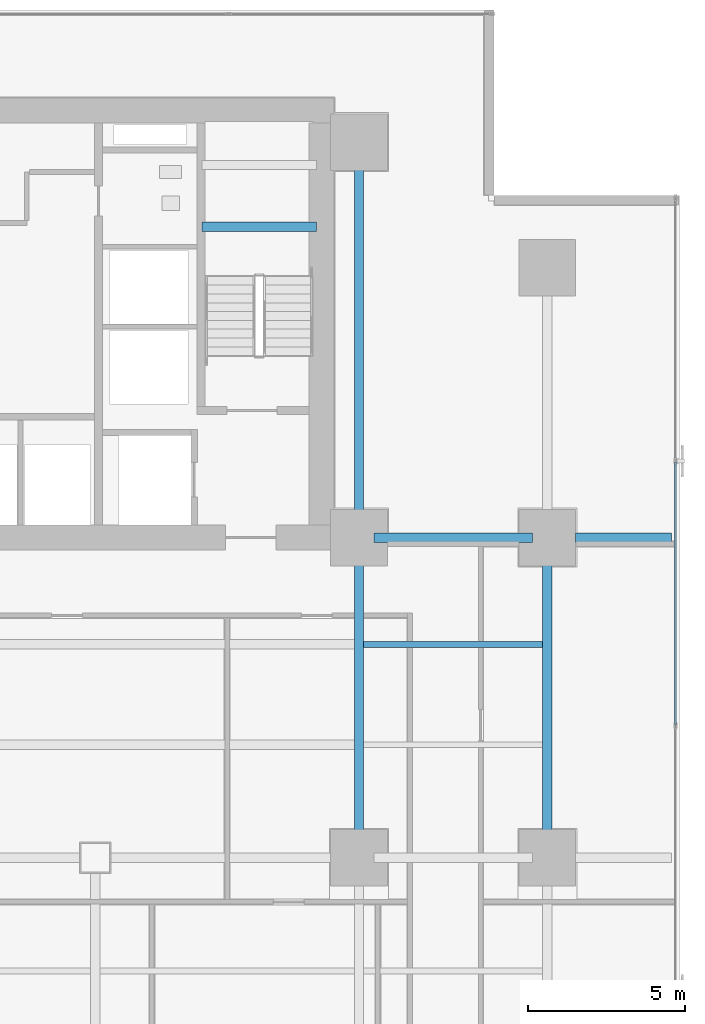
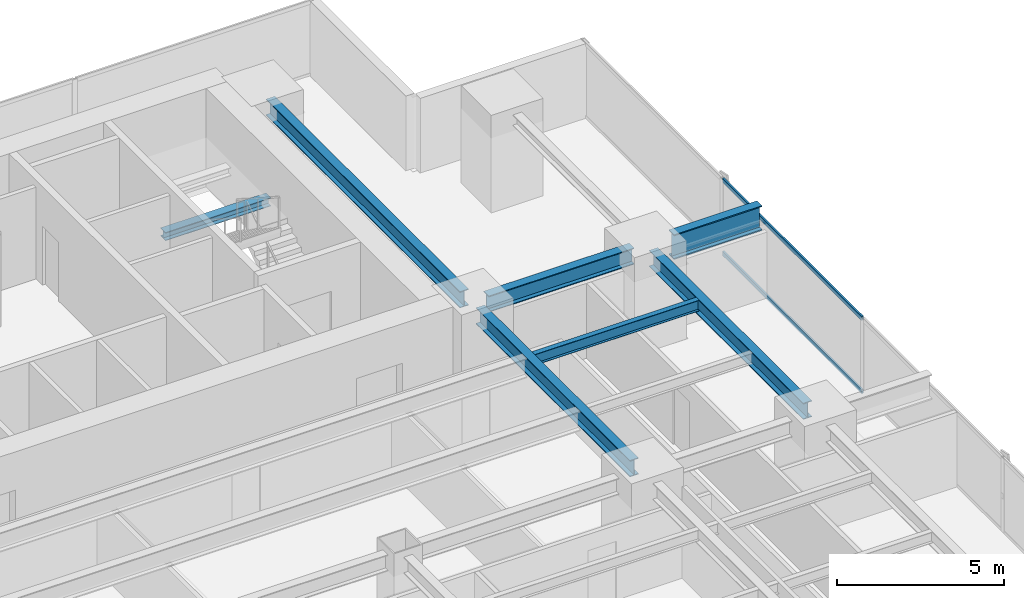
# One storey, part 19 of 32: 7 beams, 2 members, 1 element without a shape of its own.
"""IFC4 building model written with IfcOpenShell, lengths in metres."""

import ifcopenshell
import ifcopenshell.guid

model = None  # the IFC model being written
_history = None  # IfcOwnerHistory: only IFC2X3 demands one
_inside = {}  # id of a spatial element -> (the spatial element, [elements in it])
_under = {}  # id of a project, library or spatial element -> (it, [spatial elements below it])
_declared = {}  # id of a project -> (the project, [libraries it declares])
_typed = {}  # id of a type object -> (the type object, [elements of that type])
_made_of = {}  # id of a material, layer set ... -> (it, [elements and type objects made of it])


def new_model(schema):
    """Start an empty IFC model of exactly this schema.

    Asked for "IFC4X3", IfcOpenShell would pick the latest addendum, in which some entities
    have other attributes; the version numbers below select the first issue.
    IFC2X3 requires an IfcOwnerHistory on every rooted entity: one is made here for all.
    """
    global model, _history
    if schema == "IFC4X3":
        model = ifcopenshell.file(schema_version=(4, 3, 0, 0))
    else:
        model = ifcopenshell.file(schema=schema)
    _inside.clear()
    _under.clear()
    _declared.clear()
    _typed.clear()
    _made_of.clear()
    _history = None
    if model.schema == "IFC2X3":
        org = make("IfcOrganization", Name="unknown")
        user = make(
            "IfcPersonAndOrganization",
            ThePerson=make("IfcPerson", FamilyName="unknown"),
            TheOrganization=org,
        )
        app = make(
            "IfcApplication",
            ApplicationDeveloper=org,
            Version="unknown",
            ApplicationFullName="unknown",
            ApplicationIdentifier="unknown",
        )
        _history = make(
            "IfcOwnerHistory",
            OwningUser=user,
            OwningApplication=app,
            ChangeAction="ADDED",
            CreationDate=0,
        )
    return model


def make(cls, **values):
    """One entity of the class cls with the attributes given. An attribute that is None is left unset."""
    return model.create_entity(
        cls, **{name: value for name, value in values.items() if value is not None}
    )


def rooted(cls, **values):
    """An entity with a GlobalId (a new one), such as an element, a storey or a relation."""
    return make(cls, GlobalId=ifcopenshell.guid.new(), OwnerHistory=_history, **values)


def si_unit(unit_type, name, prefix=None):
    """IfcSIUnit, for example si_unit("LENGTHUNIT", "METRE", prefix="MILLI")."""
    return make("IfcSIUnit", UnitType=unit_type, Prefix=prefix, Name=name)


def assignment(units):
    """IfcUnitAssignment: the units of a project."""
    return None if units is None else make("IfcUnitAssignment", Units=units)


def point(xyz):
    """IfcCartesianPoint."""
    return None if xyz is None else make("IfcCartesianPoint", Coordinates=xyz)


def direction(xyz):
    """IfcDirection."""
    return None if xyz is None else make("IfcDirection", DirectionRatios=xyz)


def frame(location, z_axis=None, x_axis=None):
    """IfcAxis2Placement3D, a coordinate frame: its origin and axes. An axis left out is left unset."""
    return make(
        "IfcAxis2Placement3D",
        Location=point(location),
        Axis=direction(z_axis),
        RefDirection=direction(x_axis),
    )


def frame_2d(location, x_axis=None):
    """IfcAxis2Placement2D, a coordinate frame in the plane: its origin and x axis."""
    return make(
        "IfcAxis2Placement2D", Location=point(location), RefDirection=direction(x_axis)
    )


def origin():
    """The frame at (0, 0, 0) with its axes left unset."""
    return frame((0.0, 0.0, 0.0))


def origin_2d():
    """The frame at (0, 0) in the plane with its x axis left unset."""
    return frame_2d((0.0, 0.0))


def place(relative_to, where):
    """IfcLocalPlacement: puts the frame where relative to a parent placement (None: the world)."""
    return make(
        "IfcLocalPlacement", PlacementRelTo=relative_to, RelativePlacement=where
    )


def context(
    kind, dimensions, precision=None, world=None, true_north=None, identifier=None
):
    """IfcGeometricRepresentationContext, for example the 3D "Model" context."""
    return make(
        "IfcGeometricRepresentationContext",
        ContextIdentifier=identifier,
        ContextType=kind,
        CoordinateSpaceDimension=dimensions,
        Precision=precision,
        WorldCoordinateSystem=world,
        TrueNorth=true_north,
    )


def subcontext(parent, identifier, kind, view, scale=None):
    """IfcGeometricRepresentationSubContext, for example "Body" below "Model"."""
    return make(
        "IfcGeometricRepresentationSubContext",
        ContextIdentifier=identifier,
        ContextType=kind,
        ParentContext=parent,
        TargetScale=scale,
        TargetView=view,
    )


def project(units=None, contexts=None):
    """IfcProject with its units and contexts."""
    return rooted(
        "IfcProject",
        Name="project",
        RepresentationContexts=contexts,
        UnitsInContext=assignment(units),
    )


def spatial(cls, under=None, at=None, **own):
    """A site, building, storey or space (cls), placed at a placement, below another one or the project."""
    s = rooted(cls, ObjectPlacement=at, **own)
    if under is not None:
        _under.setdefault(under.id(), (under, []))[1].append(s)
    return s


def profile(cls, at=None, kind="AREA", **sizes):
    """A parametric profile (cls). Its sizes go by their IFC names, for example OverallWidth=200.0."""
    return make(cls, ProfileType=kind, Position=at, **sizes)


def hollow_rectangle(**sizes):
    """IfcRectangleHollowProfileDef."""
    return profile("IfcRectangleHollowProfileDef", **sizes)


def i_section(**sizes):
    """IfcIShapeProfileDef."""
    return profile("IfcIShapeProfileDef", **sizes)


def extrude(swept, where, along, depth):
    """IfcExtrudedAreaSolid: the profile swept, set in the frame where, extruded along a direction by depth."""
    return make(
        "IfcExtrudedAreaSolid",
        SweptArea=swept,
        Position=where,
        ExtrudedDirection=direction(along),
        Depth=depth,
    )


def shape(context_of_items, identifier, shape_type, items):
    """IfcShapeRepresentation: the items that make up one representation, for example the "Body"."""
    return make(
        "IfcShapeRepresentation",
        ContextOfItems=context_of_items,
        RepresentationIdentifier=identifier,
        RepresentationType=shape_type,
        Items=items,
    )


def source(mapping_origin, context_of_items, identifier, shape_type, items):
    """IfcRepresentationMap: a shape defined once, which mapped items show again and again."""
    return make(
        "IfcRepresentationMap",
        MappingOrigin=mapping_origin,
        MappedRepresentation=shape(context_of_items, identifier, shape_type, items),
    )


def transform(
    local_origin,
    x_axis=None,
    y_axis=None,
    z_axis=None,
    scale=None,
    scale2=None,
    scale3=None,
    uniform=True,
):
    """IfcCartesianTransformationOperator3D, or its non-uniform kind. x_axis, y_axis, z_axis: its Axis1, 2, 3."""
    if uniform:
        return make(
            "IfcCartesianTransformationOperator3D",
            Axis1=direction(x_axis),
            Axis2=direction(y_axis),
            LocalOrigin=point(local_origin),
            Scale=scale,
            Axis3=direction(z_axis),
        )
    return make(
        "IfcCartesianTransformationOperator3DnonUniform",
        Axis1=direction(x_axis),
        Axis2=direction(y_axis),
        LocalOrigin=point(local_origin),
        Scale=scale,
        Axis3=direction(z_axis),
        Scale2=scale2,
        Scale3=scale3,
    )


def mapped(mapping_source, mapping_target):
    """IfcMappedItem: shows the shape of a source again, moved by a transform."""
    return make(
        "IfcMappedItem", MappingSource=mapping_source, MappingTarget=mapping_target
    )


def material(Name=None, Category=None):
    """IfcMaterial."""
    return make("IfcMaterial", Name=Name, Category=Category)


def layer(
    of_material, thickness, ventilated=None, Name=None, Category=None, Priority=None
):
    """IfcMaterialLayer: one layer of a wall or slab, of a material (None: an air gap)."""
    return make(
        "IfcMaterialLayer",
        Material=of_material,
        LayerThickness=thickness,
        IsVentilated=ventilated,
        Name=Name,
        Category=Category,
        Priority=Priority,
    )


def layer_set(layers, Name=None):
    """IfcMaterialLayerSet."""
    return make("IfcMaterialLayerSet", MaterialLayers=layers, LayerSetName=Name)


def material_profile(
    of_material, cross_section, Name=None, Category=None, Priority=None
):
    """IfcMaterialProfile: a cross section and its material."""
    return make(
        "IfcMaterialProfile",
        Name=Name,
        Material=of_material,
        Profile=cross_section,
        Priority=Priority,
        Category=Category,
    )


def profile_set(profiles, Name=None, composite=None):
    """IfcMaterialProfileSet."""
    return make(
        "IfcMaterialProfileSet",
        Name=Name,
        MaterialProfiles=profiles,
        CompositeProfile=composite,
    )


def made_of(thing, what):
    """Note that an element or type object is made of a material, layer set ...; save() writes the relation."""
    if what is not None:
        _made_of.setdefault(what.id(), (what, []))[1].append(thing)
    return thing


def type_object(cls, material=None, **own):
    """A type object (cls), such as IfcWallType, which elements share."""
    return made_of(rooted(cls, **own), material)


def element(
    cls,
    number,
    at=None,
    inside=None,
    cuts=None,
    type_object=None,
    material=None,
    context=None,
    identifier="Body",
    shape_type=None,
    held_by="IfcProductDefinitionShape",
    body=None,
    shapes=None,
    **own,
):
    """One element of the class cls, such as IfcWall. Its Tag is "e" and its number.

    at: its placement. inside: the storey or other place that contains it. cuts: it is an
    opening in that element (IfcRelVoidsElement). A single representation is given by context,
    identifier, shape_type and body (its items); several are given by shapes. held_by: the class
    of the entity that holds the representations. save() writes the other relations.
    """
    e = rooted(cls, Tag="e%d" % number, ObjectPlacement=at, **own)
    if body is not None:
        shapes = [shape(context, identifier, shape_type, body)]
    if shapes is not None:
        e.Representation = make(held_by, Representations=shapes)
    if inside is not None:
        _inside.setdefault(inside.id(), (inside, []))[1].append(e)
    if cuts is not None:
        rooted(
            "IfcRelVoidsElement", RelatingBuildingElement=cuts, RelatedOpeningElement=e
        )
    if type_object is not None:
        _typed.setdefault(type_object.id(), (type_object, []))[1].append(e)
    return made_of(e, material)


def aggregate(whole, parts):
    """IfcRelAggregates: a whole, such as a stair, and the parts it consists of."""
    return rooted("IfcRelAggregates", RelatingObject=whole, RelatedObjects=parts)


def save(model, path):
    """Write the relations noted so far, then the file.

    IfcRelAggregates (storeys below a building ...), IfcRelContainedInSpatialStructure (elements
    in a storey), IfcRelDefinesByType, IfcRelAssociatesMaterial and IfcRelDeclares: one each for
    every whole, place, type object, material and project.
    """
    for whole, parts in _under.values():
        aggregate(whole, parts)
    for where, things in _inside.values():
        rooted(
            "IfcRelContainedInSpatialStructure",
            RelatedElements=things,
            RelatingStructure=where,
        )
    for kind, things in _typed.values():
        rooted("IfcRelDefinesByType", RelatedObjects=things, RelatingType=kind)
    for what, things in _made_of.values():
        rooted("IfcRelAssociatesMaterial", RelatedObjects=things, RelatingMaterial=what)
    for by, libraries in _declared.values():
        rooted("IfcRelDeclares", RelatingContext=by, RelatedDefinitions=libraries)
    model.write(path)


model = new_model("IFC4")

# Units and contexts
model_context = context("Model", 3, precision=1e-05, world=origin(), true_north=direction((0.0, 1.0)))
body_context = subcontext(model_context, "Body", "Model", "MODEL_VIEW")
ifc_project = project(units=[si_unit("LENGTHUNIT", "METRE"), si_unit("AREAUNIT", "SQUARE_METRE"), si_unit("VOLUMEUNIT", "CUBIC_METRE"), si_unit("PLANEANGLEUNIT", "RADIAN"), si_unit("MASSUNIT", "GRAM", prefix="KILO")], contexts=[model_context])

# Site, building, storey
site_placement = place(None, origin())
site = spatial("IfcSite", under=ifc_project, at=site_placement, CompositionType="ELEMENT")
building_placement = place(site_placement, origin())
building = spatial("IfcBuilding", under=site, at=building_placement, Name="Sumidabori Civic Tower", CompositionType="ELEMENT")
storey_placement = place(building_placement, frame((0.0, 0.0, 48.800048828125)))
storey = spatial("IfcBuildingStorey", under=building, at=storey_placement, Name="L12", CompositionType="ELEMENT", Elevation=48.800048828125)

# Beams
ifc_material_1 = material(Name="Steel SN490", Category="steel")
ifc_material_profile_1 = material_profile(ifc_material_1, i_section(OverallWidth=0.300048828125, OverallDepth=0.300048828125, WebThickness=0.010986328125, FlangeThickness=0.01904296875, at=origin_2d()), Name="HE 300 B")
ifc_profile_set_1 = profile_set([ifc_material_profile_1], Name="Steel SN490")
beam_type_1 = type_object("IfcBeamType", Name="BM-LDG-300", PredefinedType="BEAM", material=ifc_profile_set_1)
shared_shape_1 = source(origin(), body_context, "Body", "SweptSolid", [
    extrude(i_section(OverallWidth=0.300048828125, OverallDepth=0.300048828125, WebThickness=0.010986328125, FlangeThickness=0.01904296875, at=origin_2d()), origin(), (0.0, 0.0, 1.0), 3.64990234375),
])
beam_1_placement = place(storey_placement, frame((11.800048828125, 20.09765625, 1.449951171875), z_axis=(1.0, 0.0, 0.0), x_axis=(0.0, 1.0, 0.0)))
element("IfcBeam", 1, at=beam_1_placement, inside=storey, type_object=beam_type_1, Name="Stair ST-2 Landing Support Beam L12-1A", PredefinedType="BEAM", context=body_context, shape_type="MappedRepresentation", body=[
    mapped(shared_shape_1, transform((0.0, 0.0, 0.0), x_axis=(1.0, 0.0, 0.0), y_axis=(0.0, 1.0, 0.0), z_axis=(0.0, 0.0, 1.0), scale=1.0)),
])
ifc_material_profile_2 = material_profile(ifc_material_1, i_section(OverallWidth=0.300048828125, OverallDepth=0.60009765625, WebThickness=0.015380859375, FlangeThickness=0.030029296875, at=origin_2d()), Name="HE 600 B")
ifc_profile_set_2 = profile_set([ifc_material_profile_2], Name="Steel SN490")
beam_type_2 = type_object("IfcBeamType", Name="BM-GIRD-600", PredefinedType="BEAM", material=ifc_profile_set_2)
shared_shape_2 = source(origin(), body_context, "Body", "SweptSolid", [
    extrude(i_section(OverallWidth=0.300048828125, OverallDepth=0.60009765625, WebThickness=0.015380859375, FlangeThickness=0.030029296875, at=origin_2d()), origin(), (0.0, 0.0, 1.0), 5.0400390625),
])
beam_2_placement = place(storey_placement, frame((17.280029296875, 10.199951171875, 3.06005859375), z_axis=(1.0, 0.0, 0.0), x_axis=(0.0, 1.0, 0.0)))
element("IfcBeam", 2, at=beam_2_placement, inside=storey, type_object=beam_type_2, Name="Primary Girder L12 GX-20", PredefinedType="BEAM", context=body_context, shape_type="MappedRepresentation", body=[
    mapped(shared_shape_2, transform((0.0, 0.0, 0.0), x_axis=(1.0, 0.0, 0.0), y_axis=(0.0, 1.0, 0.0), z_axis=(0.0, 0.0, 1.0), scale=1.0)),
])
shared_shape_3 = source(origin(), body_context, "Body", "SweptSolid", [
    extrude(i_section(OverallWidth=0.300048828125, OverallDepth=0.60009765625, WebThickness=0.015380859375, FlangeThickness=0.030029296875, at=origin_2d()), origin(), (0.0, 0.0, 1.0), 9.239990234375),
])
for number, where, z_axis, x_axis, name in (
    (3, (16.800048828125, 0.47998046875, 3.06005859375), (0.0, 1.0, 0.0), (-1.0, 0.0, 0.0), "Primary Girder L12 GY-37"),
    (4, (22.800048828125, 0.47998046875, 3.06005859375), (0.0, 1.0, 0.0), (-1.0, 0.0, 0.0), "Primary Girder L12 GY-41"),
):
    element("IfcBeam", number, at=place(storey_placement, frame(where, z_axis=z_axis, x_axis=x_axis)), inside=storey, type_object=beam_type_2, Name=name, PredefinedType="BEAM", context=body_context, shape_type="MappedRepresentation", body=[
        mapped(shared_shape_3, transform((0.0, 0.0, 0.0), x_axis=(1.0, 0.0, 0.0), y_axis=(0.0, 1.0, 0.0), z_axis=(0.0, 0.0, 1.0), scale=1.0)),
    ])
shared_shape_4 = source(origin(), body_context, "Body", "SweptSolid", [
    extrude(i_section(OverallWidth=0.300048828125, OverallDepth=0.60009765625, WebThickness=0.015380859375, FlangeThickness=0.030029296875, at=origin_2d()), origin(), (0.0, 0.0, 1.0), 11.64013671875),
])
beam_3_placement = place(storey_placement, frame((16.800048828125, 10.679931640625, 3.06005859375), z_axis=(0.0, 1.0, 0.0), x_axis=(-1.0, 0.0, 0.0)))
element("IfcBeam", 5, at=beam_3_placement, inside=storey, type_object=beam_type_2, Name="Primary Girder L12 GY-38", PredefinedType="BEAM", context=body_context, shape_type="MappedRepresentation", body=[
    mapped(shared_shape_4, transform((0.0, 0.0, 0.0), x_axis=(1.0, 0.0, 0.0), y_axis=(0.0, 1.0, 0.0), z_axis=(0.0, 0.0, 1.0), scale=1.0)),
])
ifc_material_profile_3 = material_profile(ifc_material_1, i_section(OverallWidth=0.302001953125, OverallDepth=0.909912109375, WebThickness=0.02099609375, FlangeThickness=0.0400390625, at=origin_2d()), Name="HE 900 M")
ifc_profile_set_3 = profile_set([ifc_material_profile_3], Name="Steel SN490")
beam_type_3 = type_object("IfcBeamType", Name="BM-Z1-EDGE", PredefinedType="SPANDREL", material=ifc_profile_set_3)
shared_shape_5 = source(origin(), body_context, "Body", "SweptSolid", [
    extrude(i_section(OverallWidth=0.302001953125, OverallDepth=0.909912109375, WebThickness=0.02099609375, FlangeThickness=0.0400390625, at=origin_2d()), origin(), (0.0, 0.0, 1.0), 3.050048828125),
])
beam_4_placement = place(storey_placement, frame((23.699951171875, 10.199951171875, 2.905029296875), z_axis=(1.0, 0.0, 0.0), x_axis=(0.0, 1.0, 0.0)))
element("IfcBeam", 6, at=beam_4_placement, inside=storey, type_object=beam_type_3, Name="Perimeter Overhang Beam L12 E-47", PredefinedType="SPANDREL", context=body_context, shape_type="MappedRepresentation", body=[
    mapped(shared_shape_5, transform((0.0, 0.0, 0.0), x_axis=(1.0, 0.0, 0.0), y_axis=(0.0, 1.0, 0.0), z_axis=(0.0, 0.0, 1.0), scale=1.0)),
])
ifc_material_profile_4 = material_profile(ifc_material_1, i_section(OverallWidth=0.179931640625, OverallDepth=0.39990234375, WebThickness=0.008544921875, FlangeThickness=0.013427734375, at=origin_2d()), Name="IPE 400")
ifc_profile_set_4 = profile_set([ifc_material_profile_4], Name="Steel SN490")
beam_type_4 = type_object("IfcBeamType", Name="BM-JST-400", PredefinedType="JOIST", material=ifc_profile_set_4)
shared_shape_6 = source(origin(), body_context, "Body", "SweptSolid", [
    extrude(i_section(OverallWidth=0.179931640625, OverallDepth=0.39990234375, WebThickness=0.008544921875, FlangeThickness=0.013427734375, at=origin_2d()), origin(), (0.0, 0.0, 1.0), 5.699951171875),
])
beam_5_placement = place(storey_placement, frame((16.949951171875, 6.800048828125, 3.159912109375), z_axis=(1.0, 0.0, 0.0), x_axis=(0.0, 1.0, 0.0)))
element("IfcBeam", 7, at=beam_5_placement, inside=storey, type_object=beam_type_4, Name="Outer Bay Floor Joist L12 JSTO-56", PredefinedType="JOIST", context=body_context, shape_type="MappedRepresentation", body=[
    mapped(shared_shape_6, transform((0.0, 0.0, 0.0), x_axis=(1.0, 0.0, 0.0), y_axis=(0.0, 1.0, 0.0), z_axis=(0.0, 0.0, 1.0), scale=1.0)),
])

# Curtain wall, members
ifc_material_2 = material(Name="Anodised Bronze Aluminium AW-6063-T6", Category="aluminium")
ifc_layer = layer(ifc_material_2, 0.179931640625, Name="Anodised Bronze Aluminium AW-6063-T6")
ifc_layer_set = layer_set([ifc_layer], Name="Anodised Bronze Aluminium AW-6063-T6")
curtain_wall_type = type_object("IfcCurtainWallType", Name="CW-SYS-2", PredefinedType="NOTDEFINED", material=ifc_layer_set)
curtain_wall_placement = place(storey_placement, origin())
curtain_wall = element("IfcCurtainWall", 8, at=curtain_wall_placement, inside=storey, type_object=curtain_wall_type, Name="Curtain Wall CW:L12:R04", PredefinedType="NOTDEFINED")
ifc_material_profile_5 = material_profile(ifc_material_2, hollow_rectangle(XDim=0.06494140625, YDim=0.14990234375, WallThickness=0.0048828125, at=origin_2d()), Name="ALU TRANSOM 150x65")
ifc_profile_set_5 = profile_set([ifc_material_profile_5], Name="Anodised Bronze Aluminium AW-6063-T6")
member_type = type_object("IfcMemberType", Name="CW-TRN-150", PredefinedType="USERDEFINED", material=ifc_profile_set_5)
shared_shape_7 = source(origin(), body_context, "Body", "SweptSolid", [
    extrude(hollow_rectangle(XDim=0.06494140625, YDim=0.14990234375, WallThickness=0.0048828125, at=origin_2d()), origin(), (0.0, 0.0, 1.0), 8.35791015625),
])
member_1_placement = place(storey_placement, frame((26.8798828125, 4.2490234375, 0.032470703125), z_axis=(0.0, 1.0, 0.0), x_axis=(-1.0, 0.0, 0.0)))
member_1 = element("IfcMember", 9, at=member_1_placement, type_object=member_type, Name="CW-2 transom 4.1", ObjectType="TRANSOM", PredefinedType="USERDEFINED", context=body_context, shape_type="MappedRepresentation", body=[
    mapped(shared_shape_7, transform((0.0, 0.0, 0.0), x_axis=(1.0, 0.0, 0.0), y_axis=(0.0, 1.0, 0.0), z_axis=(0.0, 0.0, 1.0), scale=1.0)),
])
member_2_placement = place(storey_placement, frame((26.8798828125, 4.2490234375, 2.70751953125), z_axis=(0.0, 1.0, 0.0), x_axis=(-1.0, 0.0, 0.0)))
member_2 = element("IfcMember", 10, at=member_2_placement, type_object=member_type, Name="CW-2 transom 4.2", ObjectType="TRANSOM", PredefinedType="USERDEFINED", context=body_context, shape_type="MappedRepresentation", body=[
    mapped(shared_shape_7, transform((0.0, 0.0, 0.0), x_axis=(1.0, 0.0, 0.0), y_axis=(0.0, 1.0, 0.0), z_axis=(0.0, 0.0, 1.0), scale=1.0)),
])
aggregate(curtain_wall, [member_1, member_2])

save(model, "model.ifc")
